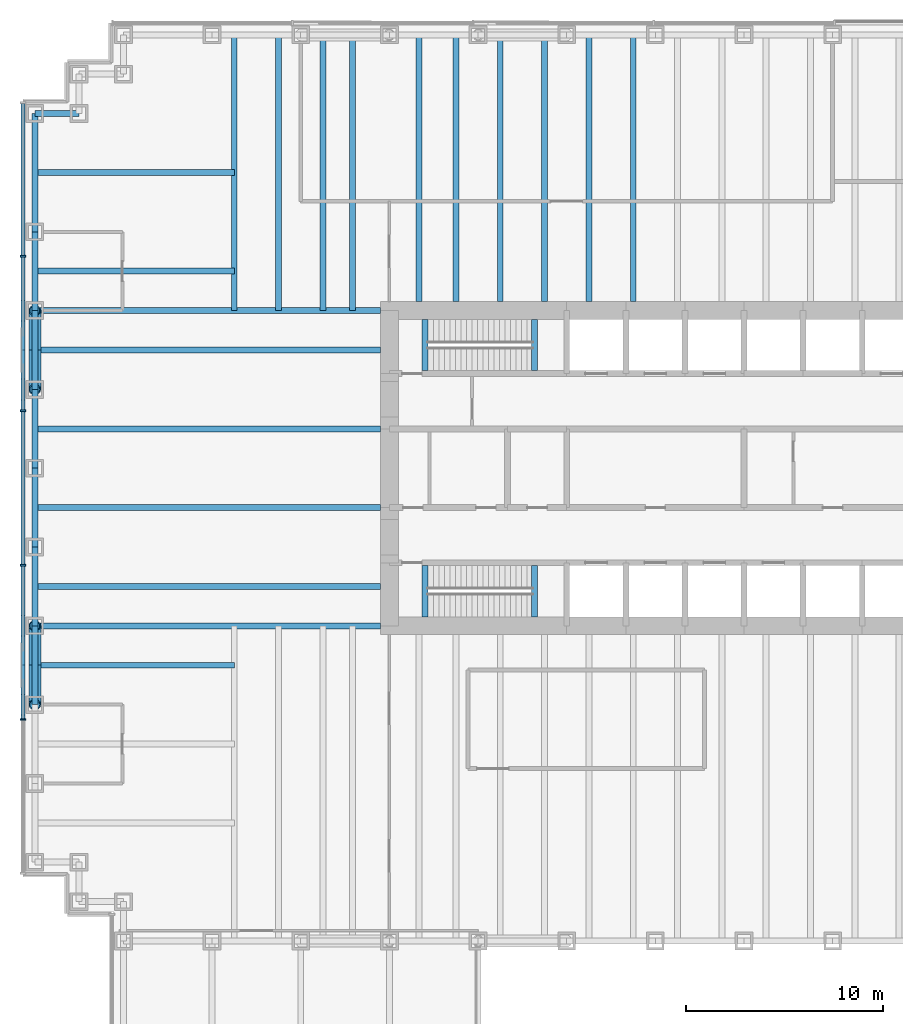
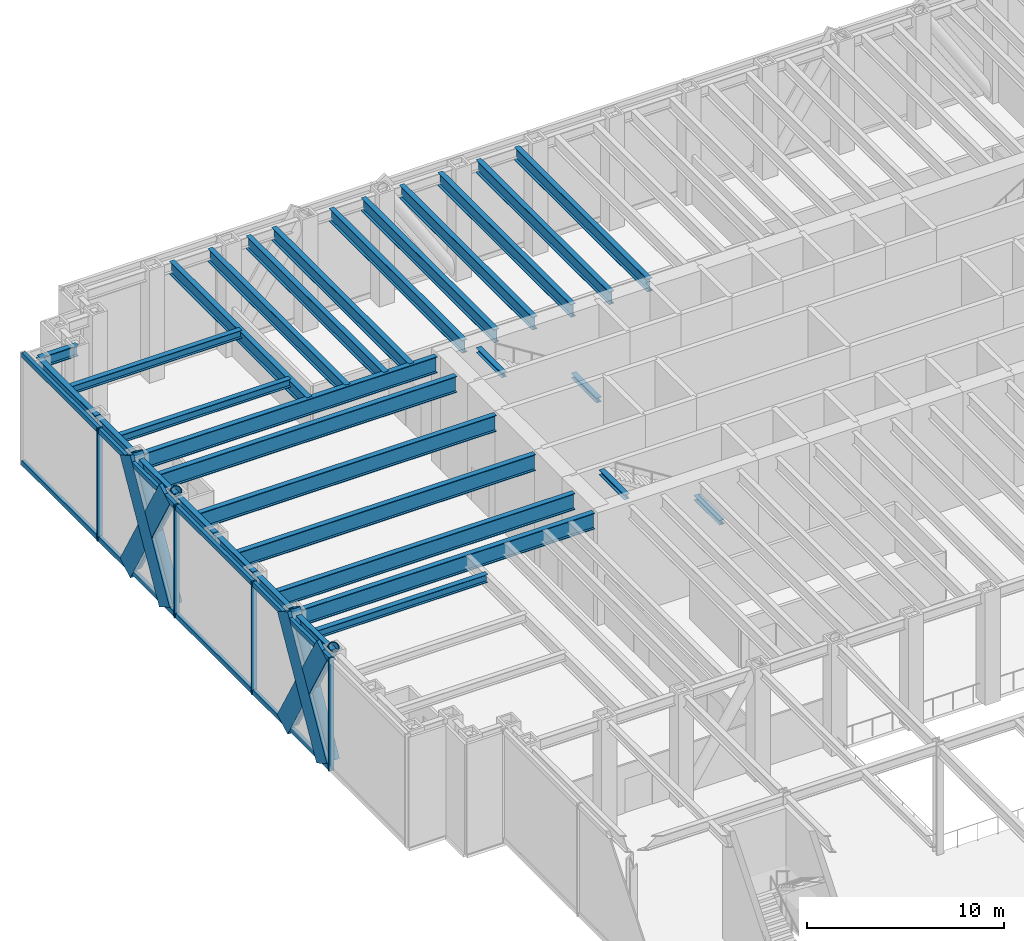
# One storey, part 5 of 17: 31 beams, 20 members, 1 element without a shape of its own.
"""IFC4 building model written with IfcOpenShell, lengths in metres."""

from ifc_helpers import new_model, si_unit, direction, frame, origin, origin_2d, place, context, subcontext, project, spatial, rectangle, hollow_circle, i_section, extrude, material, material_profile, profile_set, type_object, element, aggregate, save


model = new_model("IFC4")

# Units and contexts
model_context = context("Model", 3, precision=1e-05, world=origin(), true_north=direction((0.0, 1.0)))
body_context = subcontext(model_context, "Body", "Model", "MODEL_VIEW")
ifc_project = project(units=[si_unit("LENGTHUNIT", "METRE"), si_unit("AREAUNIT", "SQUARE_METRE"), si_unit("VOLUMEUNIT", "CUBIC_METRE"), si_unit("PLANEANGLEUNIT", "RADIAN"), si_unit("MASSUNIT", "GRAM", prefix="KILO")], contexts=[model_context])

# Site, building, storey
site_placement = place(None, origin())
site = spatial("IfcSite", under=ifc_project, at=site_placement, CompositionType="ELEMENT")
building_placement = place(site_placement, origin())
building = spatial("IfcBuilding", under=site, at=building_placement, Name="Rheinbord Bourse Tower", CompositionType="ELEMENT")
storey_placement = place(building_placement, frame((0.0, 0.0, 6.0)))
storey = spatial("IfcBuildingStorey", under=building, at=storey_placement, Name="L01", CompositionType="ELEMENT", Elevation=6.0)

# Curtain wall, members
ifc_material_1 = material(Name="Dark glass and black aluminium", Category="aluminium")
curtain_wall_type = type_object("IfcCurtainWallType", Name="CW4 DARK GLASS CURTAIN WALL", PredefinedType="USERDEFINED", material=ifc_material_1)
curtain_wall_placement = place(storey_placement, origin())
curtain_wall = element("IfcCurtainWall", 1, at=curtain_wall_placement, inside=storey, type_object=curtain_wall_type, Name="Curtain wall CW4 W L01", ObjectType="UNITISED CURTAIN WALL", PredefinedType="USERDEFINED")
ifc_material_2 = material(Name="Black anodised aluminium", Category="aluminium")
ifc_material_profile_1 = material_profile(ifc_material_2, rectangle(XDim=0.199951171875, YDim=1.2099609375, at=origin_2d()), Name="CW4 DIAGONAL MULLION 1210x200")
ifc_profile_set_1 = profile_set([ifc_material_profile_1], Name="Black anodised aluminium")
member_type_1 = type_object("IfcMemberType", Name="CW4 BLACK DIAGONAL MULLION", PredefinedType="USERDEFINED", material=ifc_profile_set_1)
member_1_placement = place(storey_placement, frame((-0.60009765625, 12.0, 0.0), z_axis=(0.0, 0.496138938357, 0.868243142124), x_axis=(-1.0, 0.0, 0.0)))
member_1 = element("IfcMember", 2, at=member_1_placement, type_object=member_type_1, Name="CW4 diagonal mullion a", ObjectType="DIAGONAL MULLION", PredefinedType="USERDEFINED", context=body_context, shape_type="SweptSolid", body=[
    extrude(rectangle(XDim=0.199951171875, YDim=1.2099609375, at=origin_2d()), origin(), (0.0, 0.0, 1.0), 8.062255859375),
])
member_2_placement = place(storey_placement, frame((-0.60009765625, 32.0, 0.0), z_axis=(0.0, -0.496138938357, 0.868243142124), x_axis=(1.0, 0.0, 0.0)))
member_2 = element("IfcMember", 3, at=member_2_placement, type_object=member_type_1, Name="CW4 diagonal mullion b", ObjectType="DIAGONAL MULLION", PredefinedType="USERDEFINED", context=body_context, shape_type="SweptSolid", body=[
    extrude(rectangle(XDim=0.199951171875, YDim=1.2099609375, at=origin_2d()), origin(), (0.0, 0.0, 1.0), 8.062255859375),
])
member_3_placement = place(storey_placement, frame((-0.60009765625, 28.0, 0.0), z_axis=(0.0, 0.496138938357, 0.868243142124), x_axis=(-1.0, 0.0, 0.0)))
member_3 = element("IfcMember", 4, at=member_3_placement, type_object=member_type_1, Name="CW4 diagonal mullion c", ObjectType="DIAGONAL MULLION", PredefinedType="USERDEFINED", context=body_context, shape_type="SweptSolid", body=[
    extrude(rectangle(XDim=0.199951171875, YDim=1.2099609375, at=origin_2d()), origin(), (0.0, 0.0, 1.0), 8.062255859375),
])
member_4_placement = place(storey_placement, frame((-0.60009765625, 16.0, 0.0), z_axis=(0.0, -0.496138938357, 0.868243142124), x_axis=(1.0, 0.0, 0.0)))
member_4 = element("IfcMember", 5, at=member_4_placement, type_object=member_type_1, Name="CW4 diagonal mullion d", ObjectType="DIAGONAL MULLION", PredefinedType="USERDEFINED", context=body_context, shape_type="SweptSolid", body=[
    extrude(rectangle(XDim=0.199951171875, YDim=1.2099609375, at=origin_2d()), origin(), (0.0, 0.0, 1.0), 8.062255859375),
])
ifc_material_3 = material(Name="Black anodised aluminium", Category="aluminium")
ifc_material_profile_2 = material_profile(ifc_material_3, rectangle(XDim=0.300048828125, YDim=0.090087890625, at=origin_2d()), Name="CW4 MULLION 90x300")
ifc_profile_set_2 = profile_set([ifc_material_profile_2], Name="Black anodised aluminium")
member_type_2 = type_object("IfcMemberType", Name="CW4 BLACK MULLION", PredefinedType="MULLION", material=ifc_profile_set_2)
member_5_placement = place(storey_placement, frame((-0.60009765625, 34.760009765625, 0.0), z_axis=(0.0, 0.0, 1.0), x_axis=(1.0, 0.0, 0.0)))
member_5 = element("IfcMember", 6, at=member_5_placement, type_object=member_type_2, Name="CW4 mullion 2", PredefinedType="MULLION", context=body_context, shape_type="SweptSolid", body=[
    extrude(rectangle(XDim=0.300048828125, YDim=0.090087890625, at=origin_2d()), origin(), (0.0, 0.0, 1.0), 7.0),
])
member_6_placement = place(storey_placement, frame((-0.60009765625, 26.919921875, 0.0), z_axis=(0.0, 0.0, 1.0), x_axis=(1.0, 0.0, 0.0)))
member_6 = element("IfcMember", 7, at=member_6_placement, type_object=member_type_2, Name="CW4 mullion 3", PredefinedType="MULLION", context=body_context, shape_type="SweptSolid", body=[
    extrude(rectangle(XDim=0.300048828125, YDim=0.090087890625, at=origin_2d()), origin(), (0.0, 0.0, 1.0), 7.0),
])
member_7_placement = place(storey_placement, frame((-0.60009765625, 19.080078125, 0.0), z_axis=(0.0, 0.0, 1.0), x_axis=(1.0, 0.0, 0.0)))
member_7 = element("IfcMember", 8, at=member_7_placement, type_object=member_type_2, Name="CW4 mullion 4", PredefinedType="MULLION", context=body_context, shape_type="SweptSolid", body=[
    extrude(rectangle(XDim=0.300048828125, YDim=0.090087890625, at=origin_2d()), origin(), (0.0, 0.0, 1.0), 7.0),
])
member_8_placement = place(storey_placement, frame((-0.60009765625, 11.239990234375, 0.0), z_axis=(0.0, 0.0, 1.0), x_axis=(1.0, 0.0, 0.0)))
member_8 = element("IfcMember", 9, at=member_8_placement, type_object=member_type_2, Name="CW4 mullion 5", PredefinedType="MULLION", context=body_context, shape_type="SweptSolid", body=[
    extrude(rectangle(XDim=0.300048828125, YDim=0.090087890625, at=origin_2d()), origin(), (0.0, 0.0, 1.0), 7.0),
])
ifc_material_4 = material(Name="Black anodised aluminium", Category="aluminium")
ifc_material_profile_3 = material_profile(ifc_material_4, rectangle(XDim=0.199951171875, YDim=0.300048828125, at=origin_2d()), Name="CW4 TRANSOM 300x200")
ifc_profile_set_3 = profile_set([ifc_material_profile_3], Name="Black anodised aluminium")
member_type_3 = type_object("IfcMemberType", Name="CW4 BLACK TRANSOM", PredefinedType="USERDEFINED", material=ifc_profile_set_3)
member_9_placement = place(storey_placement, frame((-0.60009765625, 42.510009765625, 0.14990234375), z_axis=(0.0, -1.0, 0.0), x_axis=(1.0, 0.0, 0.0)))
member_9 = element("IfcMember", 10, at=member_9_placement, type_object=member_type_3, Name="CW4 transom 1.1", ObjectType="TRANSOM", PredefinedType="USERDEFINED", context=body_context, shape_type="SweptSolid", body=[
    extrude(rectangle(XDim=0.199951171875, YDim=0.300048828125, at=origin_2d()), origin(), (0.0, 0.0, 1.0), 7.705078125),
])
member_10_placement = place(storey_placement, frame((-0.60009765625, 42.510009765625, 6.85009765625), z_axis=(0.0, -1.0, 0.0), x_axis=(1.0, 0.0, 0.0)))
member_10 = element("IfcMember", 11, at=member_10_placement, type_object=member_type_3, Name="CW4 transom 1.2", ObjectType="TRANSOM", PredefinedType="USERDEFINED", context=body_context, shape_type="SweptSolid", body=[
    extrude(rectangle(XDim=0.199951171875, YDim=0.300048828125, at=origin_2d()), origin(), (0.0, 0.0, 1.0), 7.705078125),
])
member_11_placement = place(storey_placement, frame((-0.60009765625, 34.715087890625, 0.14990234375), z_axis=(0.0, -1.0, 0.0), x_axis=(1.0, 0.0, 0.0)))
member_11 = element("IfcMember", 12, at=member_11_placement, type_object=member_type_3, Name="CW4 transom 2.1", ObjectType="TRANSOM", PredefinedType="USERDEFINED", context=body_context, shape_type="SweptSolid", body=[
    extrude(rectangle(XDim=0.199951171875, YDim=0.300048828125, at=origin_2d()), origin(), (0.0, 0.0, 1.0), 7.75),
])
member_12_placement = place(storey_placement, frame((-0.60009765625, 34.715087890625, 6.85009765625), z_axis=(0.0, -1.0, 0.0), x_axis=(1.0, 0.0, 0.0)))
member_12 = element("IfcMember", 13, at=member_12_placement, type_object=member_type_3, Name="CW4 transom 2.2", ObjectType="TRANSOM", PredefinedType="USERDEFINED", context=body_context, shape_type="SweptSolid", body=[
    extrude(rectangle(XDim=0.199951171875, YDim=0.300048828125, at=origin_2d()), origin(), (0.0, 0.0, 1.0), 7.75),
])
member_13_placement = place(storey_placement, frame((-0.60009765625, 26.875, 0.14990234375), z_axis=(0.0, -1.0, 0.0), x_axis=(1.0, 0.0, 0.0)))
member_13 = element("IfcMember", 14, at=member_13_placement, type_object=member_type_3, Name="CW4 transom 3.1", ObjectType="TRANSOM", PredefinedType="USERDEFINED", context=body_context, shape_type="SweptSolid", body=[
    extrude(rectangle(XDim=0.199951171875, YDim=0.300048828125, at=origin_2d()), origin(), (0.0, 0.0, 1.0), 7.75),
])
member_14_placement = place(storey_placement, frame((-0.60009765625, 26.875, 6.85009765625), z_axis=(0.0, -1.0, 0.0), x_axis=(1.0, 0.0, 0.0)))
member_14 = element("IfcMember", 15, at=member_14_placement, type_object=member_type_3, Name="CW4 transom 3.2", ObjectType="TRANSOM", PredefinedType="USERDEFINED", context=body_context, shape_type="SweptSolid", body=[
    extrude(rectangle(XDim=0.199951171875, YDim=0.300048828125, at=origin_2d()), origin(), (0.0, 0.0, 1.0), 7.75),
])
member_15_placement = place(storey_placement, frame((-0.60009765625, 19.034912109375, 0.14990234375), z_axis=(0.0, -1.0, 0.0), x_axis=(1.0, 0.0, 0.0)))
member_15 = element("IfcMember", 16, at=member_15_placement, type_object=member_type_3, Name="CW4 transom 4.1", ObjectType="TRANSOM", PredefinedType="USERDEFINED", context=body_context, shape_type="SweptSolid", body=[
    extrude(rectangle(XDim=0.199951171875, YDim=0.300048828125, at=origin_2d()), origin(), (0.0, 0.0, 1.0), 7.75),
])
member_16_placement = place(storey_placement, frame((-0.60009765625, 19.034912109375, 6.85009765625), z_axis=(0.0, -1.0, 0.0), x_axis=(1.0, 0.0, 0.0)))
member_16 = element("IfcMember", 17, at=member_16_placement, type_object=member_type_3, Name="CW4 transom 4.2", ObjectType="TRANSOM", PredefinedType="USERDEFINED", context=body_context, shape_type="SweptSolid", body=[
    extrude(rectangle(XDim=0.199951171875, YDim=0.300048828125, at=origin_2d()), origin(), (0.0, 0.0, 1.0), 7.75),
])
aggregate(curtain_wall, [member_5, member_6, member_7, member_8, member_9, member_10, member_11, member_12, member_13, member_14, member_15, member_16, member_1, member_2, member_3, member_4])

# Beams
ifc_material_5 = material(Name="Steel S460", Category="steel")
ifc_material_profile_4 = material_profile(ifc_material_5, i_section(OverallWidth=0.302001953125, OverallDepth=1.008056640625, WebThickness=0.02099609375, FlangeThickness=0.0400390625, at=origin_2d()), Name="HEM 1000")
ifc_profile_set_4 = profile_set([ifc_material_profile_4], Name="Steel S460")
beam_type_1 = type_object("IfcBeamType", Name="END BEAM HEM 1000", PredefinedType="BEAM", material=ifc_profile_set_4)
for number, where, z_axis, x_axis, name in (
    (18, (0.0, 18.0, 6.31591796875), (1.0, 0.0, 0.0), (0.0, 1.0, 0.0), "End beam west 18 L02"),
    (19, (0.0, 22.0, 6.31591796875), (1.0, 0.0, 0.0), (0.0, 1.0, 0.0), "End beam west 22 L02"),
    (20, (0.0, 26.0, 6.31591796875), (1.0, 0.0, 0.0), (0.0, 1.0, 0.0), "End beam west 26 L02"),
    (21, (0.0, 30.0, 6.31591796875), (1.0, 0.0, 0.0), (0.0, 1.0, 0.0), "End beam west 30 L02"),
):
    element("IfcBeam", number, at=place(storey_placement, frame(where, z_axis=z_axis, x_axis=x_axis)), inside=storey, type_object=beam_type_1, Name=name, PredefinedType="BEAM", context=body_context, shape_type="SweptSolid", body=[
        extrude(i_section(OverallWidth=0.302001953125, OverallDepth=1.008056640625, WebThickness=0.02099609375, FlangeThickness=0.0400390625, at=origin_2d()), origin(), (0.0, 0.0, 1.0), 17.550048828125),
    ])
ifc_material_6 = material(Name="Steel S460", Category="steel")
ifc_material_profile_5 = material_profile(ifc_material_6, i_section(OverallWidth=0.300048828125, OverallDepth=0.800048828125, WebThickness=0.017578125, FlangeThickness=0.032958984375, at=origin_2d()), Name="HEB 800")
ifc_profile_set_5 = profile_set([ifc_material_profile_5], Name="Steel S460")
beam_type_2 = type_object("IfcBeamType", Name="FLOOR BEAM HEB 800", PredefinedType="BEAM", material=ifc_profile_set_5)
for number, where, z_axis, x_axis, name in (
    (22, (10.125, 46.0, 6.419921875), (0.0, -1.0, 0.0), (1.0, 0.0, 0.0), "Floor beam N-9a L02"),
    (23, (12.375, 46.0, 6.419921875), (0.0, -1.0, 0.0), (1.0, 0.0, 0.0), "Floor beam N-9b L02"),
    (24, (14.625, 46.0, 6.419921875), (0.0, -1.0, 0.0), (1.0, 0.0, 0.0), "Floor beam N-13.5a L02"),
    (25, (16.125, 46.0, 6.419921875), (0.0, -1.0, 0.0), (1.0, 0.0, 0.0), "Floor beam N-13.5b L02"),
):
    element("IfcBeam", number, at=place(storey_placement, frame(where, z_axis=z_axis, x_axis=x_axis)), inside=storey, type_object=beam_type_2, Name=name, PredefinedType="BEAM", context=body_context, shape_type="SweptSolid", body=[
        extrude(i_section(OverallWidth=0.300048828125, OverallDepth=0.800048828125, WebThickness=0.017578125, FlangeThickness=0.032958984375, at=origin_2d()), origin(), (0.0, 0.0, 1.0), 14.0),
    ])
for number, where, z_axis, x_axis, name in (
    (26, (19.5, 46.0, 6.419921875), (0.0, -1.0, 0.0), (1.0, 0.0, 0.0), "Floor beam N-18a L02"),
    (27, (21.375, 46.0, 6.419921875), (0.0, -1.0, 0.0), (1.0, 0.0, 0.0), "Floor beam N-18b L02"),
    (28, (23.625, 46.0, 6.419921875), (0.0, -1.0, 0.0), (1.0, 0.0, 0.0), "Floor beam N-22.5a L02"),
    (29, (25.875, 46.0, 6.419921875), (0.0, -1.0, 0.0), (1.0, 0.0, 0.0), "Floor beam N-22.5b L02"),
    (30, (28.125, 46.0, 6.419921875), (0.0, -1.0, 0.0), (1.0, 0.0, 0.0), "Floor beam N-27a L02"),
    (31, (30.375, 46.0, 6.419921875), (0.0, -1.0, 0.0), (1.0, 0.0, 0.0), "Floor beam N-27b L02"),
):
    element("IfcBeam", number, at=place(storey_placement, frame(where, z_axis=z_axis, x_axis=x_axis)), inside=storey, type_object=beam_type_2, Name=name, PredefinedType="BEAM", context=body_context, shape_type="SweptSolid", body=[
        extrude(i_section(OverallWidth=0.300048828125, OverallDepth=0.800048828125, WebThickness=0.017578125, FlangeThickness=0.032958984375, at=origin_2d()), origin(), (0.0, 0.0, 1.0), 13.550048828125),
    ])
ifc_material_7 = material(Name="Steel S460", Category="steel")
ifc_material_profile_6 = material_profile(ifc_material_7, i_section(OverallWidth=0.302001953125, OverallDepth=1.008056640625, WebThickness=0.02099609375, FlangeThickness=0.0400390625, at=origin_2d()), Name="HEM 1000")
ifc_profile_set_6 = profile_set([ifc_material_profile_6], Name="Steel S460")
beam_type_3 = type_object("IfcBeamType", Name="GIRDER HEM 1000", PredefinedType="BEAM", material=ifc_profile_set_6)
for number, where, z_axis, x_axis, name in (
    (32, (0.0, 16.0, 6.31591796875), (1.0, 0.0, 0.0), (0.0, 1.0, 0.0), "Girder west 16 L02"),
    (33, (0.0, 32.0, 6.31591796875), (1.0, 0.0, 0.0), (0.0, 1.0, 0.0), "Girder west 32 L02"),
):
    element("IfcBeam", number, at=place(storey_placement, frame(where, z_axis=z_axis, x_axis=x_axis)), inside=storey, type_object=beam_type_3, Name=name, PredefinedType="BEAM", context=body_context, shape_type="SweptSolid", body=[
        extrude(i_section(OverallWidth=0.302001953125, OverallDepth=1.008056640625, WebThickness=0.02099609375, FlangeThickness=0.0400390625, at=origin_2d()), origin(), (0.0, 0.0, 1.0), 17.550048828125),
    ])
ifc_material_8 = material(Name="Steel S460", Category="steel")
ifc_material_profile_7 = material_profile(ifc_material_8, i_section(OverallWidth=0.300048828125, OverallDepth=0.300048828125, WebThickness=0.010986328125, FlangeThickness=0.01904296875, at=origin_2d()), Name="HEB 300")
ifc_profile_set_7 = profile_set([ifc_material_profile_7], Name="Steel S460")
beam_type_4 = type_object("IfcBeamType", Name="LANDING TRIMMER HEB 300", PredefinedType="BEAM", material=ifc_profile_set_7)
for number, where, z_axis, x_axis, name in (
    (34, (25.3701171875, 16.449951171875, 3.14990234375), (0.0, 1.0, 0.0), (-1.0, 0.0, 0.0), "Landing trimmer ST1 L01"),
    (35, (19.800048828125, 16.449951171875, 6.669921875), (0.0, 1.0, 0.0), (-1.0, 0.0, 0.0), "Well trimmer ST1 under L02"),
    (36, (25.3701171875, 28.949951171875, 3.14990234375), (0.0, 1.0, 0.0), (-1.0, 0.0, 0.0), "Landing trimmer ST2 L01"),
    (37, (19.800048828125, 28.949951171875, 6.669921875), (0.0, 1.0, 0.0), (-1.0, 0.0, 0.0), "Well trimmer ST2 under L02"),
):
    element("IfcBeam", number, at=place(storey_placement, frame(where, z_axis=z_axis, x_axis=x_axis)), inside=storey, type_object=beam_type_4, Name=name, PredefinedType="BEAM", context=body_context, shape_type="SweptSolid", body=[
        extrude(i_section(OverallWidth=0.300048828125, OverallDepth=0.300048828125, WebThickness=0.010986328125, FlangeThickness=0.01904296875, at=origin_2d()), origin(), (0.0, 0.0, 1.0), 2.60009765625),
    ])

# Members
ifc_material_9 = material(Name="Steel S460", Category="steel")
ifc_material_profile_8 = material_profile(ifc_material_9, hollow_circle(Radius=0.304931640625, WallThickness=0.050048828125, at=origin_2d()), Name="CHS 610x50")
ifc_profile_set_8 = profile_set([ifc_material_profile_8], Name="Steel S460")
member_type_4 = type_object("IfcMemberType", Name="MEGABRACE CHS 610x50", PredefinedType="BRACE", material=ifc_profile_set_8)
for number, where, z_axis, x_axis, name in (
    (38, (0.0, 12.0, 0.0), (0.0, 0.496138938357, 0.868243142124), (-1.0, 0.0, 0.0), "Megabrace W face line a L01"),
    (39, (0.0, 32.0, 0.0), (0.0, -0.496138938357, 0.868243142124), (1.0, 0.0, 0.0), "Megabrace W face line b L01"),
    (40, (0.0, 28.0, 0.0), (0.0, 0.496138938357, 0.868243142124), (-1.0, 0.0, 0.0), "Megabrace W face line c L01"),
    (41, (0.0, 16.0, 0.0), (0.0, -0.496138938357, 0.868243142124), (1.0, 0.0, 0.0), "Megabrace W face line d L01"),
):
    element("IfcMember", number, at=place(storey_placement, frame(where, z_axis=z_axis, x_axis=x_axis)), inside=storey, type_object=member_type_4, Name=name, PredefinedType="BRACE", context=body_context, shape_type="SweptSolid", body=[
        extrude(hollow_circle(Radius=0.304931640625, WallThickness=0.050048828125, at=origin_2d()), origin(), (0.0, 0.0, 1.0), 8.062255859375),
    ])

# Beams
ifc_material_10 = material(Name="Steel S460", Category="steel")
ifc_material_profile_9 = material_profile(ifc_material_10, i_section(OverallWidth=0.304931640625, OverallDepth=0.66796875, WebThickness=0.02099609375, FlangeThickness=0.0400390625, at=origin_2d()), Name="HEM 650")
ifc_profile_set_9 = profile_set([ifc_material_profile_9], Name="Steel S460")
beam_type_5 = type_object("IfcBeamType", Name="SPANDREL HEM 650", PredefinedType="SPANDREL", material=ifc_profile_set_9)
beam_1_placement = place(storey_placement, frame((2.25, 42.0, 6.486083984375), z_axis=(-1.0, 0.0, 0.0), x_axis=(0.0, -1.0, 0.0)))
element("IfcBeam", 42, at=beam_1_placement, inside=storey, type_object=beam_type_5, Name="Spandrel NW-B-NW-A under L02", PredefinedType="SPANDREL", context=body_context, shape_type="SweptSolid", body=[
    extrude(i_section(OverallWidth=0.304931640625, OverallDepth=0.66796875, WebThickness=0.02099609375, FlangeThickness=0.0400390625, at=origin_2d()), origin(), (0.0, 0.0, 1.0), 2.25),
])
beam_2_placement = place(storey_placement, frame((0.0, 42.0, 6.486083984375), z_axis=(0.0, -1.0, 0.0), x_axis=(1.0, 0.0, 0.0)))
element("IfcBeam", 43, at=beam_2_placement, inside=storey, type_object=beam_type_5, Name="Spandrel NW-A-W-36 under L02", PredefinedType="SPANDREL", context=body_context, shape_type="SweptSolid", body=[
    extrude(i_section(OverallWidth=0.304931640625, OverallDepth=0.66796875, WebThickness=0.02099609375, FlangeThickness=0.0400390625, at=origin_2d()), origin(), (0.0, 0.0, 1.0), 6.0),
])
for number, where, z_axis, x_axis, name in (
    (44, (0.0, 36.0, 6.486083984375), (0.0, -1.0, 0.0), (1.0, 0.0, 0.0), "Spandrel W-36-W-32 under L02"),
    (45, (0.0, 32.0, 6.486083984375), (0.0, -1.0, 0.0), (1.0, 0.0, 0.0), "Spandrel W-32-W-28 under L02"),
    (46, (0.0, 28.0, 6.486083984375), (0.0, -1.0, 0.0), (1.0, 0.0, 0.0), "Spandrel W-28-W-24 under L02"),
    (47, (0.0, 24.0, 6.486083984375), (0.0, -1.0, 0.0), (1.0, 0.0, 0.0), "Spandrel W-24-W-20 under L02"),
    (48, (0.0, 20.0, 6.486083984375), (0.0, -1.0, 0.0), (1.0, 0.0, 0.0), "Spandrel W-20-W-16 under L02"),
    (49, (0.0, 16.0, 6.486083984375), (0.0, -1.0, 0.0), (1.0, 0.0, 0.0), "Spandrel W-16-W-12 under L02"),
):
    element("IfcBeam", number, at=place(storey_placement, frame(where, z_axis=z_axis, x_axis=x_axis)), inside=storey, type_object=beam_type_5, Name=name, PredefinedType="SPANDREL", context=body_context, shape_type="SweptSolid", body=[
        extrude(i_section(OverallWidth=0.304931640625, OverallDepth=0.66796875, WebThickness=0.02099609375, FlangeThickness=0.0400390625, at=origin_2d()), origin(), (0.0, 0.0, 1.0), 4.0),
    ])
ifc_material_11 = material(Name="Steel S460", Category="steel")
ifc_material_profile_10 = material_profile(ifc_material_11, i_section(OverallWidth=0.300048828125, OverallDepth=0.5, WebThickness=0.014404296875, FlangeThickness=0.028076171875, at=origin_2d()), Name="HEB 500")
ifc_profile_set_10 = profile_set([ifc_material_profile_10], Name="Steel S460")
beam_type_6 = type_object("IfcBeamType", Name="TIE BEAM HEB 500", PredefinedType="JOIST", material=ifc_profile_set_10)
for number, where, z_axis, x_axis, name in (
    (50, (0.0, 14.0, 6.570068359375), (1.0, 0.0, 0.0), (0.0, 1.0, 0.0), "Tie west 14 L02"),
    (51, (0.0, 34.0, 6.570068359375), (1.0, 0.0, 0.0), (0.0, 1.0, 0.0), "Tie west 34 L02"),
    (52, (0.0, 39.0, 6.570068359375), (1.0, 0.0, 0.0), (0.0, 1.0, 0.0), "Tie west 39 L02"),
):
    element("IfcBeam", number, at=place(storey_placement, frame(where, z_axis=z_axis, x_axis=x_axis)), inside=storey, type_object=beam_type_6, Name=name, PredefinedType="JOIST", context=body_context, shape_type="SweptSolid", body=[
        extrude(i_section(OverallWidth=0.300048828125, OverallDepth=0.5, WebThickness=0.014404296875, FlangeThickness=0.028076171875, at=origin_2d()), origin(), (0.0, 0.0, 1.0), 10.125),
    ])

save(model, "model.ifc")
